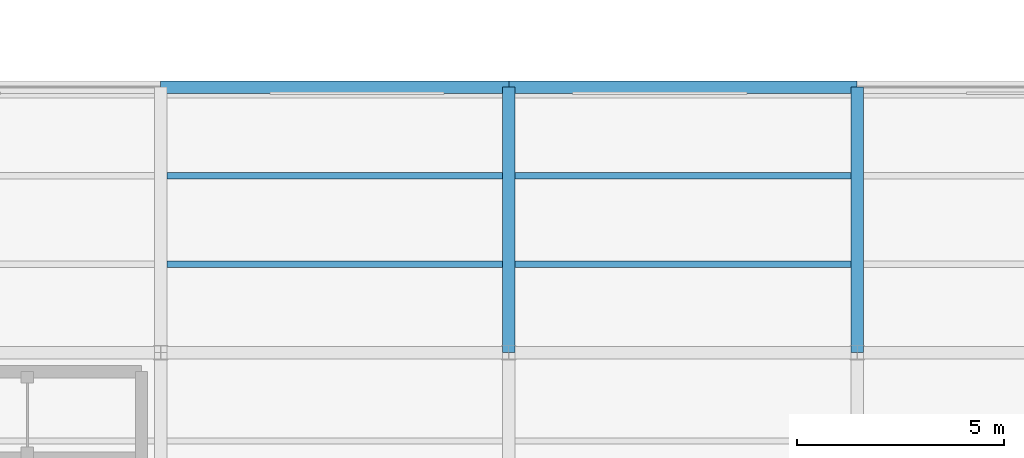
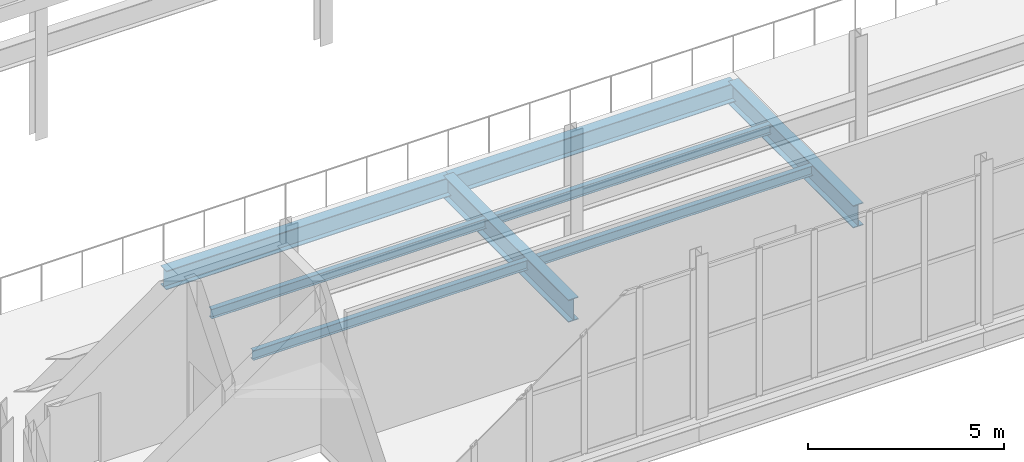
# One storey, part 64 of 218: 8 beams.
"""IFC4 building model written with IfcOpenShell, lengths in metres."""

from ifc_helpers import new_model, si_unit, direction, frame, origin, origin_2d, place, context, subcontext, project, spatial, i_section, extrude, material, material_profile, profile_set, type_object, element, save


model = new_model("IFC4")

# Units and contexts
model_context = context("Model", 3, precision=1e-05, world=origin(), true_north=direction((0.0, 1.0)))
body_context = subcontext(model_context, "Body", "Model", "MODEL_VIEW")
ifc_project = project(units=[si_unit("LENGTHUNIT", "METRE"), si_unit("AREAUNIT", "SQUARE_METRE"), si_unit("VOLUMEUNIT", "CUBIC_METRE"), si_unit("PLANEANGLEUNIT", "RADIAN"), si_unit("MASSUNIT", "GRAM", prefix="KILO")], contexts=[model_context])

# Site, building, storey
site_placement = place(None, origin())
site = spatial("IfcSite", under=ifc_project, at=site_placement, CompositionType="ELEMENT")
building_placement = place(site_placement, origin())
building = spatial("IfcBuilding", under=site, at=building_placement, Name="Kazenagashi Tramway Depot", CompositionType="ELEMENT")
storey_placement = place(building_placement, frame((0.0, 0.0, 6.0)))
storey = spatial("IfcBuildingStorey", under=building, at=storey_placement, Name="L02", CompositionType="ELEMENT", Elevation=6.0)

# Beams
ifc_material_1 = material(Name="Steel SN490B", Category="steel")
ifc_material_profile_1 = material_profile(ifc_material_1, i_section(OverallWidth=0.3, OverallDepth=0.7, WebThickness=0.013, FlangeThickness=0.024, at=origin_2d()), Name="H-700x300x13x24")
ifc_profile_set_1 = profile_set([ifc_material_profile_1], Name="Steel SN490B")
beam_type_1 = type_object("IfcBeamType", Name="G-02", PredefinedType="BEAM", material=ifc_profile_set_1)
for number, where, z_axis, x_axis, name in (
    (1, (70.0, 22.9, -0.6), (0.0, 1.0, 0.0), (-1.0, 0.0, 0.0), "Beam G-02 BM-1050"),
    (2, (78.4, 22.9, -0.6), (0.0, 1.0, 0.0), (-1.0, 0.0, 0.0), "Beam G-02 BM-1056"),
):
    element("IfcBeam", number, at=place(storey_placement, frame(where, z_axis=z_axis, x_axis=x_axis)), inside=storey, type_object=beam_type_1, Name=name, PredefinedType="BEAM", context=body_context, shape_type="SweptSolid", body=[
        extrude(i_section(OverallWidth=0.3, OverallDepth=0.7, WebThickness=0.013, FlangeThickness=0.024, at=origin_2d()), origin(), (0.0, 0.0, 1.0), 6.4),
    ])
ifc_material_2 = material(Name="Steel SN400B", Category="steel")
ifc_material_profile_2 = material_profile(ifc_material_2, i_section(OverallWidth=0.15, OverallDepth=0.3, WebThickness=0.0065, FlangeThickness=0.009, at=origin_2d()), Name="H-300x150x6.5x9")
ifc_profile_set_2 = profile_set([ifc_material_profile_2], Name="Steel SN400B")
beam_type_2 = type_object("IfcBeamType", Name="J-02", PredefinedType="JOIST", material=ifc_profile_set_2)
for number, where, z_axis, x_axis, name in (
    (3, (61.75, 25.033, -0.4), (1.0, 0.0, 0.0), (0.0, 1.0, 0.0), "Beam J-02 BM-1045"),
    (4, (61.75, 27.167, -0.4), (1.0, 0.0, 0.0), (0.0, 1.0, 0.0), "Beam J-02 BM-1046"),
    (5, (70.15, 25.033, -0.4), (1.0, 0.0, 0.0), (0.0, 1.0, 0.0), "Beam J-02 BM-1051"),
    (6, (70.15, 27.167, -0.4), (1.0, 0.0, 0.0), (0.0, 1.0, 0.0), "Beam J-02 BM-1052"),
):
    element("IfcBeam", number, at=place(storey_placement, frame(where, z_axis=z_axis, x_axis=x_axis)), inside=storey, type_object=beam_type_2, Name=name, PredefinedType="JOIST", context=body_context, shape_type="SweptSolid", body=[
        extrude(i_section(OverallWidth=0.15, OverallDepth=0.3, WebThickness=0.0065, FlangeThickness=0.009, at=origin_2d()), origin(), (0.0, 0.0, 1.0), 8.1),
    ])
ifc_material_profile_3 = material_profile(ifc_material_1, i_section(OverallWidth=0.3, OverallDepth=0.588, WebThickness=0.012, FlangeThickness=0.02, at=origin_2d()), Name="H-588x300x12x20")
ifc_profile_set_3 = profile_set([ifc_material_profile_3], Name="Steel SN490B")
beam_type_3 = type_object("IfcBeamType", Name="SP-01", PredefinedType="SPANDREL", material=ifc_profile_set_3)
for number, where, z_axis, x_axis, name in (
    (7, (61.6, 29.3, -0.544), (1.0, 0.0, 0.0), (0.0, 1.0, 0.0), "Beam SP-01 BM-1020"),
    (8, (70.0, 29.3, -0.544), (1.0, 0.0, 0.0), (0.0, 1.0, 0.0), "Beam SP-01 BM-1021"),
):
    element("IfcBeam", number, at=place(storey_placement, frame(where, z_axis=z_axis, x_axis=x_axis)), inside=storey, type_object=beam_type_3, Name=name, PredefinedType="SPANDREL", context=body_context, shape_type="SweptSolid", body=[
        extrude(i_section(OverallWidth=0.3, OverallDepth=0.588, WebThickness=0.012, FlangeThickness=0.02, at=origin_2d()), origin(), (0.0, 0.0, 1.0), 8.4),
    ])

save(model, "model.ifc")
